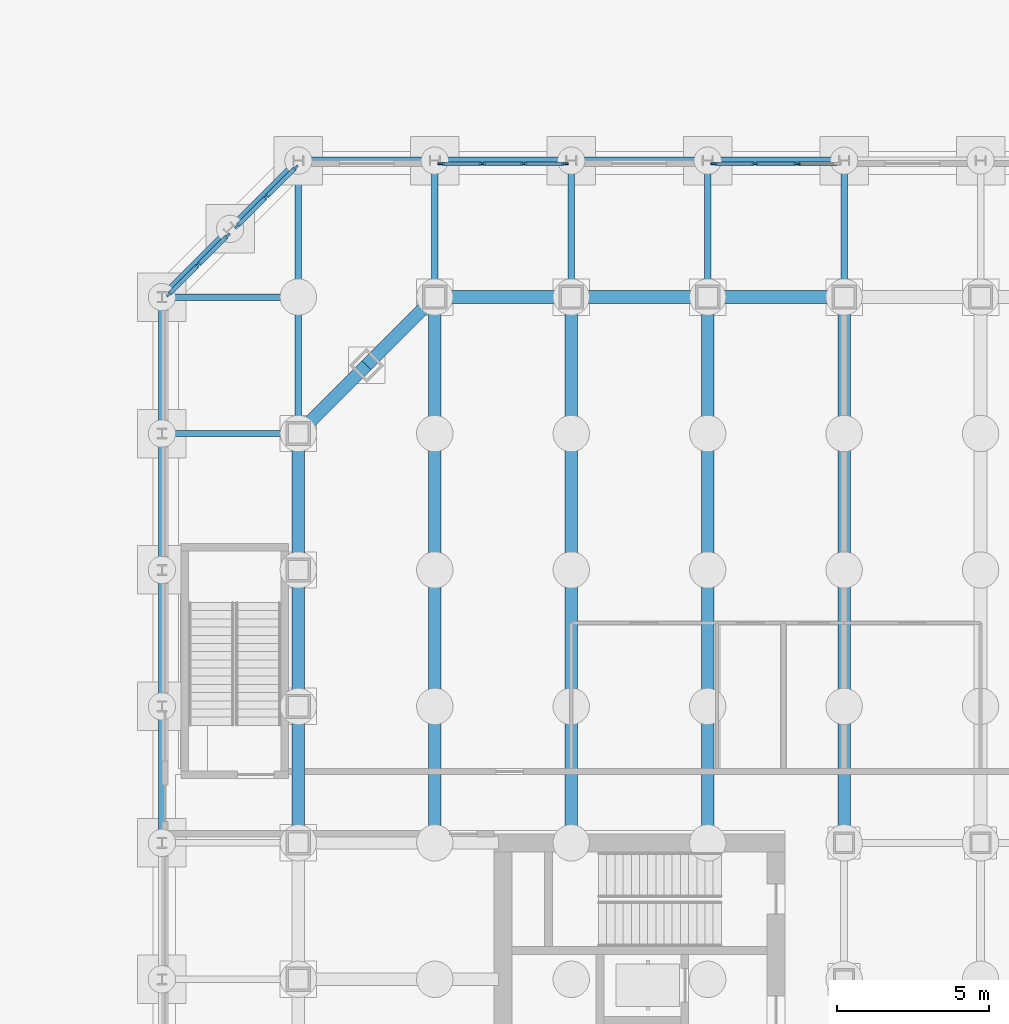
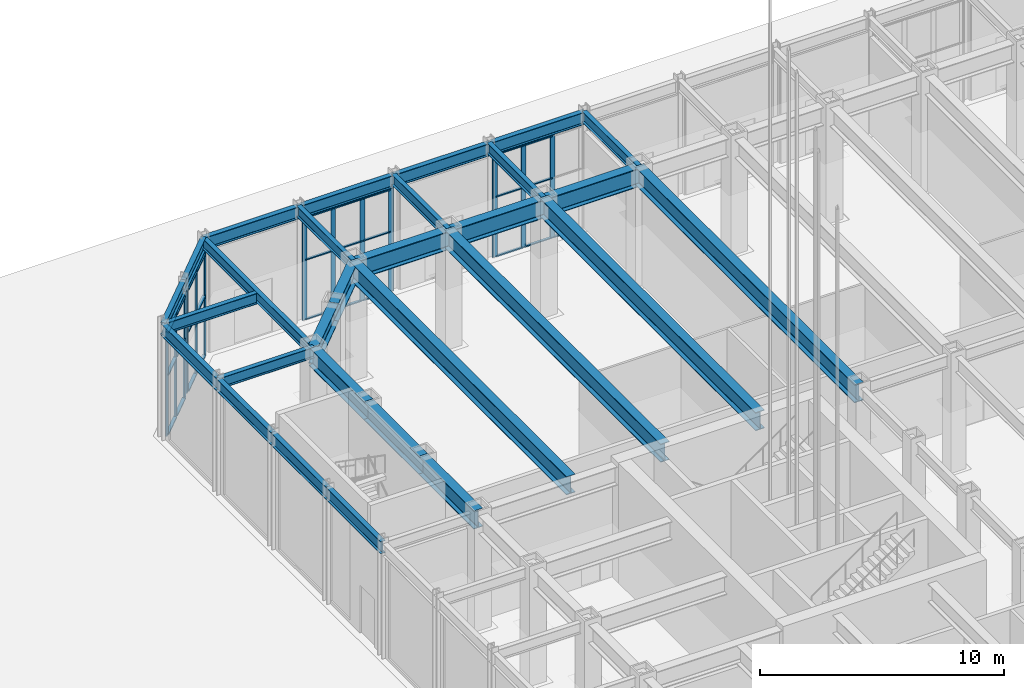
# One storey, part 9 of 39: 41 members, 29 beams, 4 elements without a shape of their own.
"""IFC4 building model written with IfcOpenShell, lengths in metres."""

from ifc_helpers import new_model, si_unit, direction, frame, origin, origin_2d, place, context, subcontext, project, spatial, rectangle, i_section, extrude, material, material_profile, profile_set, type_object, element, aggregate, save


model = new_model("IFC4")

# Units and contexts
model_context = context("Model", 3, precision=1e-05, world=origin(), true_north=direction((0.0, 1.0)))
body_context = subcontext(model_context, "Body", "Model", "MODEL_VIEW")
ifc_project = project(units=[si_unit("LENGTHUNIT", "METRE"), si_unit("AREAUNIT", "SQUARE_METRE"), si_unit("VOLUMEUNIT", "CUBIC_METRE"), si_unit("PLANEANGLEUNIT", "RADIAN"), si_unit("MASSUNIT", "GRAM", prefix="KILO")], contexts=[model_context])

# Site, building, storey
site_placement = place(None, origin())
site = spatial("IfcSite", under=ifc_project, at=site_placement, CompositionType="ELEMENT")
building_placement = place(site_placement, origin())
building = spatial("IfcBuilding", under=site, at=building_placement, Name="Msasa Ring Tower", CompositionType="ELEMENT")
storey_placement = place(building_placement, origin())
storey = spatial("IfcBuildingStorey", under=building, at=storey_placement, Name="L00", CompositionType="ELEMENT", Elevation=0.0)

# Curtain wall, members
ifc_material_1 = material(Name="Aluminium curtain wall with clear glass", Category="aluminium")
curtain_wall_type_1 = type_object("IfcCurtainWallType", Name="CW-F PLAZA SHOPFRONT CURTAIN WALL", PredefinedType="NOTDEFINED", material=ifc_material_1)
curtain_wall_1_placement = place(storey_placement, origin())
curtain_wall_1 = element("IfcCurtainWall", 1, at=curtain_wall_1_placement, inside=storey, type_object=curtain_wall_type_1, Name="Plaza shopfront curtain wall N L00 27", PredefinedType="NOTDEFINED")
ifc_material_2 = material(Name="Aluminium mullion", Category="aluminium")
ifc_material_profile_1 = material_profile(ifc_material_2, rectangle(XDim=0.054931640625, YDim=0.22509765625, at=origin_2d()), Name="AL 55x225")
ifc_profile_set_1 = profile_set([ifc_material_profile_1], Name="Aluminium mullion")
member_type_1 = type_object("IfcMemberType", Name="CW-F MULLION 55x225", PredefinedType="MULLION", material=ifc_profile_set_1)
member_1_placement = place(storey_placement, frame((-20.034912109375, 29.14990234375, 0.0), z_axis=(0.0, 0.0, 1.0), x_axis=(0.0, 1.0, 0.0)))
member_1 = element("IfcMember", 2, at=member_1_placement, type_object=member_type_1, Name="CW-F mullion 1", PredefinedType="MULLION", context=body_context, shape_type="SweptSolid", body=[
    extrude(rectangle(XDim=0.054931640625, YDim=0.22509765625, at=origin_2d()), origin(), (0.0, 0.0, 1.0), 5.1328125),
])
member_2_placement = place(storey_placement, frame((-18.6875, 29.14990234375, 0.0), z_axis=(0.0, 0.0, 1.0), x_axis=(0.0, 1.0, 0.0)))
member_2 = element("IfcMember", 3, at=member_2_placement, type_object=member_type_1, Name="CW-F mullion 2", PredefinedType="MULLION", context=body_context, shape_type="SweptSolid", body=[
    extrude(rectangle(XDim=0.054931640625, YDim=0.22509765625, at=origin_2d()), origin(), (0.0, 0.0, 1.0), 5.1328125),
])
member_3_placement = place(storey_placement, frame((-17.3125, 29.14990234375, 0.0), z_axis=(0.0, 0.0, 1.0), x_axis=(0.0, 1.0, 0.0)))
member_3 = element("IfcMember", 4, at=member_3_placement, type_object=member_type_1, Name="CW-F mullion 3", PredefinedType="MULLION", context=body_context, shape_type="SweptSolid", body=[
    extrude(rectangle(XDim=0.054931640625, YDim=0.22509765625, at=origin_2d()), origin(), (0.0, 0.0, 1.0), 5.1328125),
])
member_4_placement = place(storey_placement, frame((-15.965087890625, 29.14990234375, 0.0), z_axis=(0.0, 0.0, 1.0), x_axis=(0.0, 1.0, 0.0)))
member_4 = element("IfcMember", 5, at=member_4_placement, type_object=member_type_1, Name="CW-F mullion 4", PredefinedType="MULLION", context=body_context, shape_type="SweptSolid", body=[
    extrude(rectangle(XDim=0.054931640625, YDim=0.22509765625, at=origin_2d()), origin(), (0.0, 0.0, 1.0), 5.1328125),
])

curtain_wall_2_placement = place(storey_placement, origin())
curtain_wall_2 = element("IfcCurtainWall", 6, at=curtain_wall_2_placement, inside=storey, type_object=curtain_wall_type_1, Name="Plaza shopfront curtain wall N L00 29", PredefinedType="NOTDEFINED")
member_5_placement = place(storey_placement, frame((-11.034912109375, 29.14990234375, 0.0), z_axis=(0.0, 0.0, 1.0), x_axis=(0.0, 1.0, 0.0)))
member_5 = element("IfcMember", 7, at=member_5_placement, type_object=member_type_1, Name="CW-F mullion 1", PredefinedType="MULLION", context=body_context, shape_type="SweptSolid", body=[
    extrude(rectangle(XDim=0.054931640625, YDim=0.22509765625, at=origin_2d()), origin(), (0.0, 0.0, 1.0), 5.1328125),
])
member_6_placement = place(storey_placement, frame((-9.6875, 29.14990234375, 0.0), z_axis=(0.0, 0.0, 1.0), x_axis=(0.0, 1.0, 0.0)))
member_6 = element("IfcMember", 8, at=member_6_placement, type_object=member_type_1, Name="CW-F mullion 2", PredefinedType="MULLION", context=body_context, shape_type="SweptSolid", body=[
    extrude(rectangle(XDim=0.054931640625, YDim=0.22509765625, at=origin_2d()), origin(), (0.0, 0.0, 1.0), 5.1328125),
])
member_7_placement = place(storey_placement, frame((-8.3125, 29.14990234375, 0.0), z_axis=(0.0, 0.0, 1.0), x_axis=(0.0, 1.0, 0.0)))
member_7 = element("IfcMember", 9, at=member_7_placement, type_object=member_type_1, Name="CW-F mullion 3", PredefinedType="MULLION", context=body_context, shape_type="SweptSolid", body=[
    extrude(rectangle(XDim=0.054931640625, YDim=0.22509765625, at=origin_2d()), origin(), (0.0, 0.0, 1.0), 5.1328125),
])

# Member
ifc_material_3 = material(Name="Aluminium transom", Category="aluminium")
ifc_material_profile_2 = material_profile(ifc_material_3, rectangle(XDim=0.110107421875, YDim=0.054931640625, at=origin_2d()), Name="AL 55x110")
ifc_profile_set_2 = profile_set([ifc_material_profile_2], Name="Aluminium transom")
member_type_2 = type_object("IfcMemberType", Name="CW-F TRANSOM 55x110", PredefinedType="USERDEFINED", material=ifc_profile_set_2)
member_8_placement = place(storey_placement, frame((-20.00732421875, 29.14990234375, 0.027587890625), z_axis=(1.0, 0.0, 0.0), x_axis=(0.0, 1.0, 0.0)))
member_8 = element("IfcMember", 10, at=member_8_placement, type_object=member_type_2, Name="CW-F transom 1.1", ObjectType="TRANSOM", PredefinedType="USERDEFINED", context=body_context, shape_type="SweptSolid", body=[
    extrude(rectangle(XDim=0.110107421875, YDim=0.054931640625, at=origin_2d()), origin(), (0.0, 0.0, 1.0), 1.29248046875),
])

member_9_placement = place(storey_placement, frame((-20.00732421875, 29.14990234375, 3.0), z_axis=(1.0, 0.0, 0.0), x_axis=(0.0, 1.0, 0.0)))
member_9 = element("IfcMember", 11, at=member_9_placement, type_object=member_type_2, Name="CW-F transom 1.2", ObjectType="TRANSOM", PredefinedType="USERDEFINED", context=body_context, shape_type="SweptSolid", body=[
    extrude(rectangle(XDim=0.110107421875, YDim=0.054931640625, at=origin_2d()), origin(), (0.0, 0.0, 1.0), 1.29248046875),
])

member_10_placement = place(storey_placement, frame((-20.00732421875, 29.14990234375, 5.105224609375), z_axis=(1.0, 0.0, 0.0), x_axis=(0.0, 1.0, 0.0)))
member_10 = element("IfcMember", 12, at=member_10_placement, type_object=member_type_2, Name="CW-F transom 1.3", ObjectType="TRANSOM", PredefinedType="USERDEFINED", context=body_context, shape_type="SweptSolid", body=[
    extrude(rectangle(XDim=0.110107421875, YDim=0.054931640625, at=origin_2d()), origin(), (0.0, 0.0, 1.0), 1.29248046875),
])

member_11_placement = place(storey_placement, frame((-18.659912109375, 29.14990234375, 0.027587890625), z_axis=(1.0, 0.0, 0.0), x_axis=(0.0, 1.0, 0.0)))
member_11 = element("IfcMember", 13, at=member_11_placement, type_object=member_type_2, Name="CW-F transom 2.1", ObjectType="TRANSOM", PredefinedType="USERDEFINED", context=body_context, shape_type="SweptSolid", body=[
    extrude(rectangle(XDim=0.110107421875, YDim=0.054931640625, at=origin_2d()), origin(), (0.0, 0.0, 1.0), 1.31982421875),
])

member_12_placement = place(storey_placement, frame((-18.659912109375, 29.14990234375, 3.0), z_axis=(1.0, 0.0, 0.0), x_axis=(0.0, 1.0, 0.0)))
member_12 = element("IfcMember", 14, at=member_12_placement, type_object=member_type_2, Name="CW-F transom 2.2", ObjectType="TRANSOM", PredefinedType="USERDEFINED", context=body_context, shape_type="SweptSolid", body=[
    extrude(rectangle(XDim=0.110107421875, YDim=0.054931640625, at=origin_2d()), origin(), (0.0, 0.0, 1.0), 1.31982421875),
])

member_13_placement = place(storey_placement, frame((-18.659912109375, 29.14990234375, 5.105224609375), z_axis=(1.0, 0.0, 0.0), x_axis=(0.0, 1.0, 0.0)))
member_13 = element("IfcMember", 15, at=member_13_placement, type_object=member_type_2, Name="CW-F transom 2.3", ObjectType="TRANSOM", PredefinedType="USERDEFINED", context=body_context, shape_type="SweptSolid", body=[
    extrude(rectangle(XDim=0.110107421875, YDim=0.054931640625, at=origin_2d()), origin(), (0.0, 0.0, 1.0), 1.31982421875),
])

member_14_placement = place(storey_placement, frame((-17.284912109375, 29.14990234375, 0.027587890625), z_axis=(1.0, 0.0, 0.0), x_axis=(0.0, 1.0, 0.0)))
member_14 = element("IfcMember", 16, at=member_14_placement, type_object=member_type_2, Name="CW-F transom 3.1", ObjectType="TRANSOM", PredefinedType="USERDEFINED", context=body_context, shape_type="SweptSolid", body=[
    extrude(rectangle(XDim=0.110107421875, YDim=0.054931640625, at=origin_2d()), origin(), (0.0, 0.0, 1.0), 1.292236328125),
])

member_15_placement = place(storey_placement, frame((-17.284912109375, 29.14990234375, 3.0), z_axis=(1.0, 0.0, 0.0), x_axis=(0.0, 1.0, 0.0)))
member_15 = element("IfcMember", 17, at=member_15_placement, type_object=member_type_2, Name="CW-F transom 3.2", ObjectType="TRANSOM", PredefinedType="USERDEFINED", context=body_context, shape_type="SweptSolid", body=[
    extrude(rectangle(XDim=0.110107421875, YDim=0.054931640625, at=origin_2d()), origin(), (0.0, 0.0, 1.0), 1.292236328125),
])

member_16_placement = place(storey_placement, frame((-17.284912109375, 29.14990234375, 5.105224609375), z_axis=(1.0, 0.0, 0.0), x_axis=(0.0, 1.0, 0.0)))
member_16 = element("IfcMember", 18, at=member_16_placement, type_object=member_type_2, Name="CW-F transom 3.3", ObjectType="TRANSOM", PredefinedType="USERDEFINED", context=body_context, shape_type="SweptSolid", body=[
    extrude(rectangle(XDim=0.110107421875, YDim=0.054931640625, at=origin_2d()), origin(), (0.0, 0.0, 1.0), 1.292236328125),
])

aggregate(curtain_wall_1, [member_1, member_2, member_3, member_4, member_8, member_9, member_10, member_11, member_12, member_13, member_14, member_15, member_16])

member_17_placement = place(storey_placement, frame((-11.00732421875, 29.14990234375, 0.027587890625), z_axis=(1.0, 0.0, 0.0), x_axis=(0.0, 1.0, 0.0)))
member_17 = element("IfcMember", 19, at=member_17_placement, type_object=member_type_2, Name="CW-F transom 1.1", ObjectType="TRANSOM", PredefinedType="USERDEFINED", context=body_context, shape_type="SweptSolid", body=[
    extrude(rectangle(XDim=0.110107421875, YDim=0.054931640625, at=origin_2d()), origin(), (0.0, 0.0, 1.0), 1.292236328125),
])

member_18_placement = place(storey_placement, frame((-11.00732421875, 29.14990234375, 3.0), z_axis=(1.0, 0.0, 0.0), x_axis=(0.0, 1.0, 0.0)))
member_18 = element("IfcMember", 20, at=member_18_placement, type_object=member_type_2, Name="CW-F transom 1.2", ObjectType="TRANSOM", PredefinedType="USERDEFINED", context=body_context, shape_type="SweptSolid", body=[
    extrude(rectangle(XDim=0.110107421875, YDim=0.054931640625, at=origin_2d()), origin(), (0.0, 0.0, 1.0), 1.292236328125),
])

member_19_placement = place(storey_placement, frame((-11.00732421875, 29.14990234375, 5.105224609375), z_axis=(1.0, 0.0, 0.0), x_axis=(0.0, 1.0, 0.0)))
member_19 = element("IfcMember", 21, at=member_19_placement, type_object=member_type_2, Name="CW-F transom 1.3", ObjectType="TRANSOM", PredefinedType="USERDEFINED", context=body_context, shape_type="SweptSolid", body=[
    extrude(rectangle(XDim=0.110107421875, YDim=0.054931640625, at=origin_2d()), origin(), (0.0, 0.0, 1.0), 1.292236328125),
])

member_20_placement = place(storey_placement, frame((-9.659912109375, 29.14990234375, 0.027587890625), z_axis=(1.0, 0.0, 0.0), x_axis=(0.0, 1.0, 0.0)))
member_20 = element("IfcMember", 22, at=member_20_placement, type_object=member_type_2, Name="CW-F transom 2.1", ObjectType="TRANSOM", PredefinedType="USERDEFINED", context=body_context, shape_type="SweptSolid", body=[
    extrude(rectangle(XDim=0.110107421875, YDim=0.054931640625, at=origin_2d()), origin(), (0.0, 0.0, 1.0), 1.31982421875),
])

member_21_placement = place(storey_placement, frame((-9.659912109375, 29.14990234375, 3.0), z_axis=(1.0, 0.0, 0.0), x_axis=(0.0, 1.0, 0.0)))
member_21 = element("IfcMember", 23, at=member_21_placement, type_object=member_type_2, Name="CW-F transom 2.2", ObjectType="TRANSOM", PredefinedType="USERDEFINED", context=body_context, shape_type="SweptSolid", body=[
    extrude(rectangle(XDim=0.110107421875, YDim=0.054931640625, at=origin_2d()), origin(), (0.0, 0.0, 1.0), 1.31982421875),
])

member_22_placement = place(storey_placement, frame((-9.659912109375, 29.14990234375, 5.105224609375), z_axis=(1.0, 0.0, 0.0), x_axis=(0.0, 1.0, 0.0)))
member_22 = element("IfcMember", 24, at=member_22_placement, type_object=member_type_2, Name="CW-F transom 2.3", ObjectType="TRANSOM", PredefinedType="USERDEFINED", context=body_context, shape_type="SweptSolid", body=[
    extrude(rectangle(XDim=0.110107421875, YDim=0.054931640625, at=origin_2d()), origin(), (0.0, 0.0, 1.0), 1.31982421875),
])

member_23_placement = place(storey_placement, frame((-8.284912109375, 29.14990234375, 0.027587890625), z_axis=(1.0, 0.0, 0.0), x_axis=(0.0, 1.0, 0.0)))
member_23 = element("IfcMember", 25, at=member_23_placement, type_object=member_type_2, Name="CW-F transom 3.1", ObjectType="TRANSOM", PredefinedType="USERDEFINED", context=body_context, shape_type="SweptSolid", body=[
    extrude(rectangle(XDim=0.110107421875, YDim=0.054931640625, at=origin_2d()), origin(), (0.0, 0.0, 1.0), 1.292236328125),
])

aggregate(curtain_wall_2, [member_5, member_6, member_7, member_17, member_18, member_19, member_20, member_21, member_22, member_23])

# Curtain wall, members
ifc_material_4 = material(Name="Aluminium curtain wall with clear glass", Category="aluminium")
curtain_wall_type_2 = type_object("IfcCurtainWallType", Name="CW-K PODIUM CORNER CURTAIN WALL", PredefinedType="NOTDEFINED", material=ifc_material_4)
curtain_wall_3_placement = place(storey_placement, origin())
curtain_wall_3 = element("IfcCurtainWall", 26, at=curtain_wall_3_placement, inside=storey, type_object=curtain_wall_type_2, Name="Podium corner curtain wall NW L00", PredefinedType="NOTDEFINED")
ifc_material_5 = material(Name="Aluminium mullion", Category="aluminium")
ifc_material_profile_3 = material_profile(ifc_material_5, rectangle(XDim=0.070068359375, YDim=0.199951171875, at=origin_2d()), Name="AL 70x200")
ifc_profile_set_3 = profile_set([ifc_material_profile_3], Name="Aluminium mullion")
member_type_3 = type_object("IfcMemberType", Name="CW-K MULLION 70x200", PredefinedType="MULLION", material=ifc_profile_set_3)
member_24_placement = place(storey_placement, frame((-27.086669921875, 26.77197265625, 0.0), z_axis=(0.0, 0.0, 1.0), x_axis=(0.707106781187, -0.707106781187, 0.0)))
member_24 = element("IfcMember", 27, at=member_24_placement, type_object=member_type_3, Name="CW-K mullion 1", PredefinedType="MULLION", context=body_context, shape_type="SweptSolid", body=[
    extrude(rectangle(XDim=0.070068359375, YDim=0.199951171875, at=origin_2d()), origin(), (0.0, 0.0, 1.0), 5.1328125),
])
member_25_placement = place(storey_placement, frame((-28.05419921875, 25.80419921875, 0.0), z_axis=(0.0, 0.0, 1.0), x_axis=(0.707106781187, -0.707106781187, 0.0)))
member_25 = element("IfcMember", 28, at=member_25_placement, type_object=member_type_3, Name="CW-K mullion 2", PredefinedType="MULLION", context=body_context, shape_type="SweptSolid", body=[
    extrude(rectangle(XDim=0.070068359375, YDim=0.199951171875, at=origin_2d()), origin(), (0.0, 0.0, 1.0), 5.1328125),
])
member_26_placement = place(storey_placement, frame((-29.02197265625, 24.836669921875, 0.0), z_axis=(0.0, 0.0, 1.0), x_axis=(0.707106781187, -0.707106781187, 0.0)))
member_26 = element("IfcMember", 29, at=member_26_placement, type_object=member_type_3, Name="CW-K mullion 3", PredefinedType="MULLION", context=body_context, shape_type="SweptSolid", body=[
    extrude(rectangle(XDim=0.070068359375, YDim=0.199951171875, at=origin_2d()), origin(), (0.0, 0.0, 1.0), 5.1328125),
])

curtain_wall_4_placement = place(storey_placement, origin())
curtain_wall_4 = element("IfcCurtainWall", 30, at=curtain_wall_4_placement, inside=storey, type_object=curtain_wall_type_2, Name="Podium corner curtain wall NW L00", PredefinedType="NOTDEFINED")
member_27_placement = place(storey_placement, frame((-24.836669921875, 29.02197265625, 0.0), z_axis=(0.0, 0.0, 1.0), x_axis=(0.707106781187, -0.707106781187, 0.0)))
member_27 = element("IfcMember", 31, at=member_27_placement, type_object=member_type_3, Name="CW-K mullion 1", PredefinedType="MULLION", context=body_context, shape_type="SweptSolid", body=[
    extrude(rectangle(XDim=0.070068359375, YDim=0.199951171875, at=origin_2d()), origin(), (0.0, 0.0, 1.0), 5.1328125),
])
member_28_placement = place(storey_placement, frame((-25.80419921875, 28.05419921875, 0.0), z_axis=(0.0, 0.0, 1.0), x_axis=(0.707106781187, -0.707106781187, 0.0)))
member_28 = element("IfcMember", 32, at=member_28_placement, type_object=member_type_3, Name="CW-K mullion 2", PredefinedType="MULLION", context=body_context, shape_type="SweptSolid", body=[
    extrude(rectangle(XDim=0.070068359375, YDim=0.199951171875, at=origin_2d()), origin(), (0.0, 0.0, 1.0), 5.1328125),
])
member_29_placement = place(storey_placement, frame((-26.77197265625, 27.086669921875, 0.0), z_axis=(0.0, 0.0, 1.0), x_axis=(0.707106781187, -0.707106781187, 0.0)))
member_29 = element("IfcMember", 33, at=member_29_placement, type_object=member_type_3, Name="CW-K mullion 3", PredefinedType="MULLION", context=body_context, shape_type="SweptSolid", body=[
    extrude(rectangle(XDim=0.070068359375, YDim=0.199951171875, at=origin_2d()), origin(), (0.0, 0.0, 1.0), 5.1328125),
])

# Member
ifc_material_6 = material(Name="Aluminium transom", Category="aluminium")
ifc_material_profile_4 = material_profile(ifc_material_6, rectangle(XDim=0.14990234375, YDim=0.070068359375, at=origin_2d()), Name="AL 70x150")
ifc_profile_set_4 = profile_set([ifc_material_profile_4], Name="Aluminium transom")
member_type_4 = type_object("IfcMemberType", Name="CW-K TRANSOM 70x150", PredefinedType="USERDEFINED", material=ifc_profile_set_4)
member_30_placement = place(storey_placement, frame((-27.111572265625, 26.7470703125, 0.034912109375), z_axis=(-0.707106781187, -0.707106781187, 0.0), x_axis=(0.707106781187, -0.707106781187, 0.0)))
member_30 = element("IfcMember", 34, at=member_30_placement, type_object=member_type_4, Name="CW-K transom 1.1", ObjectType="TRANSOM", PredefinedType="USERDEFINED", context=body_context, shape_type="SweptSolid", body=[
    extrude(rectangle(XDim=0.14990234375, YDim=0.070068359375, at=origin_2d()), origin(), (0.0, 0.0, 1.0), 1.298095703125),
])

member_31_placement = place(storey_placement, frame((-27.111572265625, 26.7470703125, 3.0), z_axis=(-0.707106781187, -0.707106781187, 0.0), x_axis=(0.707106781187, -0.707106781187, 0.0)))
member_31 = element("IfcMember", 35, at=member_31_placement, type_object=member_type_4, Name="CW-K transom 1.2", ObjectType="TRANSOM", PredefinedType="USERDEFINED", context=body_context, shape_type="SweptSolid", body=[
    extrude(rectangle(XDim=0.14990234375, YDim=0.070068359375, at=origin_2d()), origin(), (0.0, 0.0, 1.0), 1.298095703125),
])

member_32_placement = place(storey_placement, frame((-27.111572265625, 26.7470703125, 5.097900390625), z_axis=(-0.707106781187, -0.707106781187, 0.0), x_axis=(0.707106781187, -0.707106781187, 0.0)))
member_32 = element("IfcMember", 36, at=member_32_placement, type_object=member_type_4, Name="CW-K transom 1.3", ObjectType="TRANSOM", PredefinedType="USERDEFINED", context=body_context, shape_type="SweptSolid", body=[
    extrude(rectangle(XDim=0.14990234375, YDim=0.070068359375, at=origin_2d()), origin(), (0.0, 0.0, 1.0), 1.298095703125),
])

member_33_placement = place(storey_placement, frame((-28.0791015625, 25.779541015625, 0.034912109375), z_axis=(-0.707106781187, -0.707106781187, 0.0), x_axis=(0.707106781187, -0.707106781187, 0.0)))
member_33 = element("IfcMember", 37, at=member_33_placement, type_object=member_type_4, Name="CW-K transom 2.1", ObjectType="TRANSOM", PredefinedType="USERDEFINED", context=body_context, shape_type="SweptSolid", body=[
    extrude(rectangle(XDim=0.14990234375, YDim=0.070068359375, at=origin_2d()), origin(), (0.0, 0.0, 1.0), 1.298095703125),
])

member_34_placement = place(storey_placement, frame((-28.0791015625, 25.779541015625, 3.0), z_axis=(-0.707106781187, -0.707106781187, 0.0), x_axis=(0.707106781187, -0.707106781187, 0.0)))
member_34 = element("IfcMember", 38, at=member_34_placement, type_object=member_type_4, Name="CW-K transom 2.2", ObjectType="TRANSOM", PredefinedType="USERDEFINED", context=body_context, shape_type="SweptSolid", body=[
    extrude(rectangle(XDim=0.14990234375, YDim=0.070068359375, at=origin_2d()), origin(), (0.0, 0.0, 1.0), 1.298095703125),
])

member_35_placement = place(storey_placement, frame((-28.0791015625, 25.779541015625, 5.097900390625), z_axis=(-0.707106781187, -0.707106781187, 0.0), x_axis=(0.707106781187, -0.707106781187, 0.0)))
member_35 = element("IfcMember", 39, at=member_35_placement, type_object=member_type_4, Name="CW-K transom 2.3", ObjectType="TRANSOM", PredefinedType="USERDEFINED", context=body_context, shape_type="SweptSolid", body=[
    extrude(rectangle(XDim=0.14990234375, YDim=0.070068359375, at=origin_2d()), origin(), (0.0, 0.0, 1.0), 1.298095703125),
])

aggregate(curtain_wall_3, [member_24, member_25, member_26, member_30, member_31, member_32, member_33, member_34, member_35])

member_36_placement = place(storey_placement, frame((-24.861572265625, 28.9970703125, 0.034912109375), z_axis=(-0.707106781187, -0.707106781187, 0.0), x_axis=(0.707106781187, -0.707106781187, 0.0)))
member_36 = element("IfcMember", 40, at=member_36_placement, type_object=member_type_4, Name="CW-K transom 1.1", ObjectType="TRANSOM", PredefinedType="USERDEFINED", context=body_context, shape_type="SweptSolid", body=[
    extrude(rectangle(XDim=0.14990234375, YDim=0.070068359375, at=origin_2d()), origin(), (0.0, 0.0, 1.0), 1.298095703125),
])

member_37_placement = place(storey_placement, frame((-24.861572265625, 28.9970703125, 3.0), z_axis=(-0.707106781187, -0.707106781187, 0.0), x_axis=(0.707106781187, -0.707106781187, 0.0)))
member_37 = element("IfcMember", 41, at=member_37_placement, type_object=member_type_4, Name="CW-K transom 1.2", ObjectType="TRANSOM", PredefinedType="USERDEFINED", context=body_context, shape_type="SweptSolid", body=[
    extrude(rectangle(XDim=0.14990234375, YDim=0.070068359375, at=origin_2d()), origin(), (0.0, 0.0, 1.0), 1.298095703125),
])

member_38_placement = place(storey_placement, frame((-24.861572265625, 28.9970703125, 5.097900390625), z_axis=(-0.707106781187, -0.707106781187, 0.0), x_axis=(0.707106781187, -0.707106781187, 0.0)))
member_38 = element("IfcMember", 42, at=member_38_placement, type_object=member_type_4, Name="CW-K transom 1.3", ObjectType="TRANSOM", PredefinedType="USERDEFINED", context=body_context, shape_type="SweptSolid", body=[
    extrude(rectangle(XDim=0.14990234375, YDim=0.070068359375, at=origin_2d()), origin(), (0.0, 0.0, 1.0), 1.298095703125),
])

member_39_placement = place(storey_placement, frame((-25.8291015625, 28.029541015625, 0.034912109375), z_axis=(-0.707106781187, -0.707106781187, 0.0), x_axis=(0.707106781187, -0.707106781187, 0.0)))
member_39 = element("IfcMember", 43, at=member_39_placement, type_object=member_type_4, Name="CW-K transom 2.1", ObjectType="TRANSOM", PredefinedType="USERDEFINED", context=body_context, shape_type="SweptSolid", body=[
    extrude(rectangle(XDim=0.14990234375, YDim=0.070068359375, at=origin_2d()), origin(), (0.0, 0.0, 1.0), 1.298095703125),
])

member_40_placement = place(storey_placement, frame((-25.8291015625, 28.029541015625, 3.0), z_axis=(-0.707106781187, -0.707106781187, 0.0), x_axis=(0.707106781187, -0.707106781187, 0.0)))
member_40 = element("IfcMember", 44, at=member_40_placement, type_object=member_type_4, Name="CW-K transom 2.2", ObjectType="TRANSOM", PredefinedType="USERDEFINED", context=body_context, shape_type="SweptSolid", body=[
    extrude(rectangle(XDim=0.14990234375, YDim=0.070068359375, at=origin_2d()), origin(), (0.0, 0.0, 1.0), 1.298095703125),
])

member_41_placement = place(storey_placement, frame((-25.8291015625, 28.029541015625, 5.097900390625), z_axis=(-0.707106781187, -0.707106781187, 0.0), x_axis=(0.707106781187, -0.707106781187, 0.0)))
member_41 = element("IfcMember", 45, at=member_41_placement, type_object=member_type_4, Name="CW-K transom 2.3", ObjectType="TRANSOM", PredefinedType="USERDEFINED", context=body_context, shape_type="SweptSolid", body=[
    extrude(rectangle(XDim=0.14990234375, YDim=0.070068359375, at=origin_2d()), origin(), (0.0, 0.0, 1.0), 1.298095703125),
])

aggregate(curtain_wall_4, [member_27, member_28, member_29, member_36, member_37, member_38, member_39, member_40, member_41])

# Beams
ifc_material_7 = material(Name="Steel S355", Category="steel")
ifc_material_profile_5 = material_profile(ifc_material_7, i_section(OverallWidth=0.41845703125, OverallDepth=0.911865234375, WebThickness=0.019287109375, FlangeThickness=0.031982421875, FilletRadius=0.024169921875, at=origin_2d()), Name="UB 914x419x343")
ifc_profile_set_5 = profile_set([ifc_material_profile_5], Name="Steel S355")
beam_type_1 = type_object("IfcBeamType", Name="FB1 UB 914x419x343", PredefinedType="BEAM", material=ifc_profile_set_5)
beam_1_placement = place(storey_placement, frame((-20.25, 24.75, 5.294189453125), z_axis=(0.0, -1.0, 0.0), x_axis=(1.0, 0.0, 0.0)))
element("IfcBeam", 46, at=beam_1_placement, inside=storey, type_object=beam_type_1, Name="Floor beam N-20.25 under L01", PredefinedType="BEAM", context=body_context, shape_type="SweptSolid", body=[
    extrude(i_section(OverallWidth=0.41845703125, OverallDepth=0.911865234375, WebThickness=0.019287109375, FlangeThickness=0.031982421875, FilletRadius=0.024169921875, at=origin_2d()), origin(), (0.0, 0.0, 1.0), 17.789794921875),
])
for number, where, z_axis, x_axis, name in (
    (47, (-15.75, 24.75, 5.294189453125), (0.0, -1.0, 0.0), (1.0, 0.0, 0.0), "Floor beam N-15.75 under L01"),
    (48, (-11.25, 24.75, 5.294189453125), (0.0, -1.0, 0.0), (1.0, 0.0, 0.0), "Floor beam N-11.25 under L01"),
):
    element("IfcBeam", number, at=place(storey_placement, frame(where, z_axis=z_axis, x_axis=x_axis)), inside=storey, type_object=beam_type_1, Name=name, PredefinedType="BEAM", context=body_context, shape_type="SweptSolid", body=[
        extrude(i_section(OverallWidth=0.41845703125, OverallDepth=0.911865234375, WebThickness=0.019287109375, FlangeThickness=0.031982421875, FilletRadius=0.024169921875, at=origin_2d()), origin(), (0.0, 0.0, 1.0), 17.699951171875),
    ])
beam_2_placement = place(storey_placement, frame((-6.75, 24.75, 5.294189453125), z_axis=(0.0, -1.0, 0.0), x_axis=(1.0, 0.0, 0.0)))
element("IfcBeam", 49, at=beam_2_placement, inside=storey, type_object=beam_type_1, Name="Floor beam N-6.75 under L01", PredefinedType="BEAM", context=body_context, shape_type="SweptSolid", body=[
    extrude(i_section(OverallWidth=0.41845703125, OverallDepth=0.911865234375, WebThickness=0.019287109375, FlangeThickness=0.031982421875, FilletRadius=0.024169921875, at=origin_2d()), origin(), (0.0, 0.0, 1.0), 18.0),
])
ifc_material_8 = material(Name="Steel S355", Category="steel")
ifc_material_profile_6 = material_profile(ifc_material_8, i_section(OverallWidth=0.2119140625, OverallDepth=0.54443359375, WebThickness=0.0126953125, FlangeThickness=0.021240234375, FilletRadius=0.0126953125, at=origin_2d()), Name="UB 533x210x122")
ifc_profile_set_6 = profile_set([ifc_material_profile_6], Name="Steel S355")
beam_type_2 = type_object("IfcBeamType", Name="PB1 UB 533x210x122", PredefinedType="BEAM", material=ifc_profile_set_6)
beam_3_placement = place(storey_placement, frame((-24.75, 29.25, 5.477783203125), z_axis=(0.0, -1.0, 0.0), x_axis=(1.0, 0.0, 0.0)))
element("IfcBeam", 50, at=beam_3_placement, inside=storey, type_object=beam_type_2, Name="Podium beam N-24.75 under L01", PredefinedType="BEAM", context=body_context, shape_type="SweptSolid", body=[
    extrude(i_section(OverallWidth=0.2119140625, OverallDepth=0.54443359375, WebThickness=0.0126953125, FlangeThickness=0.021240234375, FilletRadius=0.0126953125, at=origin_2d()), origin(), (0.0, 0.0, 1.0), 9.0),
])
for number, where, z_axis, x_axis, name in (
    (51, (-20.25, 29.25, 5.477783203125), (0.0, -1.0, 0.0), (1.0, 0.0, 0.0), "Podium beam N-20.25 under L01"),
    (52, (-15.75, 29.25, 5.477783203125), (0.0, -1.0, 0.0), (1.0, 0.0, 0.0), "Podium beam N-15.75 under L01"),
    (53, (-11.25, 29.25, 5.477783203125), (0.0, -1.0, 0.0), (1.0, 0.0, 0.0), "Podium beam N-11.25 under L01"),
    (54, (-6.75, 29.25, 5.477783203125), (0.0, -1.0, 0.0), (1.0, 0.0, 0.0), "Podium beam N-6.75 under L01"),
    (55, (-29.25, 20.25, 5.477783203125), (1.0, 0.0, 0.0), (0.0, 1.0, 0.0), "Podium beam W+20.25 under L01"),
):
    element("IfcBeam", number, at=place(storey_placement, frame(where, z_axis=z_axis, x_axis=x_axis)), inside=storey, type_object=beam_type_2, Name=name, PredefinedType="BEAM", context=body_context, shape_type="SweptSolid", body=[
        extrude(i_section(OverallWidth=0.2119140625, OverallDepth=0.54443359375, WebThickness=0.0126953125, FlangeThickness=0.021240234375, FilletRadius=0.0126953125, at=origin_2d()), origin(), (0.0, 0.0, 1.0), 4.5),
    ])
beam_4_placement = place(storey_placement, frame((-29.25, 24.75, 5.477783203125), z_axis=(1.0, 0.0, 0.0), x_axis=(0.0, 1.0, 0.0)))
element("IfcBeam", 56, at=beam_4_placement, inside=storey, type_object=beam_type_2, Name="Podium beam W+24.75 under L01", PredefinedType="BEAM", context=body_context, shape_type="SweptSolid", body=[
    extrude(i_section(OverallWidth=0.2119140625, OverallDepth=0.54443359375, WebThickness=0.0126953125, FlangeThickness=0.021240234375, FilletRadius=0.0126953125, at=origin_2d()), origin(), (0.0, 0.0, 1.0), 4.39404296875),
])
ifc_material_9 = material(Name="Steel S355", Category="steel")
ifc_material_profile_7 = material_profile(ifc_material_9, i_section(OverallWidth=0.42041015625, OverallDepth=0.9208984375, WebThickness=0.021484375, FlangeThickness=0.03662109375, FilletRadius=0.024169921875, at=origin_2d()), Name="UB 914x419x388")
ifc_profile_set_7 = profile_set([ifc_material_profile_7], Name="Steel S355")
beam_type_3 = type_object("IfcBeamType", Name="SB1 UB 914x419x388", PredefinedType="SPANDREL", material=ifc_profile_set_7)
for number, where, z_axis, x_axis, name in (
    (57, (-6.75, 24.75, 5.28955078125), (-1.0, 0.0, 0.0), (0.0, -1.0, 0.0), "Spandrel N-6.75 to N-11.25 under L01"),
    (58, (-11.25, 24.75, 5.28955078125), (-1.0, 0.0, 0.0), (0.0, -1.0, 0.0), "Spandrel N-11.25 to N-15.75 under L01"),
    (59, (-15.75, 24.75, 5.28955078125), (-1.0, 0.0, 0.0), (0.0, -1.0, 0.0), "Spandrel N-15.75 to N-20.25 under L01"),
):
    element("IfcBeam", number, at=place(storey_placement, frame(where, z_axis=z_axis, x_axis=x_axis)), inside=storey, type_object=beam_type_3, Name=name, PredefinedType="SPANDREL", context=body_context, shape_type="SweptSolid", body=[
        extrude(i_section(OverallWidth=0.42041015625, OverallDepth=0.9208984375, WebThickness=0.021484375, FlangeThickness=0.03662109375, FilletRadius=0.024169921875, at=origin_2d()), origin(), (0.0, 0.0, 1.0), 4.5),
    ])
for number, where, z_axis, x_axis, name in (
    (60, (-20.25, 24.75, 5.28955078125), (-0.707106781187, -0.707106781187, 0.0), (0.707106781187, -0.707106781187, 0.0), "Spandrel N-20.25 to NW under L01"),
    (61, (-22.5, 22.5, 5.28955078125), (-0.707106781187, -0.707106781187, 0.0), (0.707106781187, -0.707106781187, 0.0), "Spandrel NW to W+20.25 under L01"),
):
    element("IfcBeam", number, at=place(storey_placement, frame(where, z_axis=z_axis, x_axis=x_axis)), inside=storey, type_object=beam_type_3, Name=name, PredefinedType="SPANDREL", context=body_context, shape_type="SweptSolid", body=[
        extrude(i_section(OverallWidth=0.42041015625, OverallDepth=0.9208984375, WebThickness=0.021484375, FlangeThickness=0.03662109375, FilletRadius=0.024169921875, at=origin_2d()), origin(), (0.0, 0.0, 1.0), 3.181884765625),
    ])
for number, where, z_axis, x_axis, name in (
    (62, (-24.75, 20.25, 5.28955078125), (0.0, -1.0, 0.0), (1.0, 0.0, 0.0), "Spandrel W+20.25 to W+15.75 under L01"),
    (63, (-24.75, 15.75, 5.28955078125), (0.0, -1.0, 0.0), (1.0, 0.0, 0.0), "Spandrel W+15.75 to W+11.25 under L01"),
    (64, (-24.75, 11.25, 5.28955078125), (0.0, -1.0, 0.0), (1.0, 0.0, 0.0), "Spandrel W+11.25 to W+6.75 under L01"),
):
    element("IfcBeam", number, at=place(storey_placement, frame(where, z_axis=z_axis, x_axis=x_axis)), inside=storey, type_object=beam_type_3, Name=name, PredefinedType="SPANDREL", context=body_context, shape_type="SweptSolid", body=[
        extrude(i_section(OverallWidth=0.42041015625, OverallDepth=0.9208984375, WebThickness=0.021484375, FlangeThickness=0.03662109375, FilletRadius=0.024169921875, at=origin_2d()), origin(), (0.0, 0.0, 1.0), 4.5),
    ])
ifc_material_10 = material(Name="Steel S355", Category="steel")
ifc_material_profile_8 = material_profile(ifc_material_10, i_section(OverallWidth=0.230224609375, OverallDepth=0.6171875, WebThickness=0.01318359375, FlangeThickness=0.022216796875, FilletRadius=0.0126953125, at=origin_2d()), Name="UB 610x229x140")
ifc_profile_set_8 = profile_set([ifc_material_profile_8], Name="Steel S355")
beam_type_4 = type_object("IfcBeamType", Name="SB2 UB 610x229x140", PredefinedType="SPANDREL", material=ifc_profile_set_8)
for number, where, z_axis, x_axis, name in (
    (65, (-6.75, 29.25, 5.44140625), (-1.0, 0.0, 0.0), (0.0, -1.0, 0.0), "Podium spandrel N-6.75 under L01"),
    (66, (-11.25, 29.25, 5.44140625), (-1.0, 0.0, 0.0), (0.0, -1.0, 0.0), "Podium spandrel N-11.25 under L01"),
    (67, (-15.75, 29.25, 5.44140625), (-1.0, 0.0, 0.0), (0.0, -1.0, 0.0), "Podium spandrel N-15.75 under L01"),
    (68, (-20.25, 29.25, 5.44140625), (-1.0, 0.0, 0.0), (0.0, -1.0, 0.0), "Podium spandrel N-20.25 under L01"),
):
    element("IfcBeam", number, at=place(storey_placement, frame(where, z_axis=z_axis, x_axis=x_axis)), inside=storey, type_object=beam_type_4, Name=name, PredefinedType="SPANDREL", context=body_context, shape_type="SweptSolid", body=[
        extrude(i_section(OverallWidth=0.230224609375, OverallDepth=0.6171875, WebThickness=0.01318359375, FlangeThickness=0.022216796875, FilletRadius=0.0126953125, at=origin_2d()), origin(), (0.0, 0.0, 1.0), 4.5),
    ])
for number, where, z_axis, x_axis, name in (
    (69, (-24.75, 29.25, 5.44140625), (-0.707106781187, -0.707106781187, 0.0), (0.707106781187, -0.707106781187, 0.0), "Podium spandrel N-24.75 under L01"),
    (70, (-27.0, 27.0, 5.44140625), (-0.707106781187, -0.707106781187, 0.0), (0.707106781187, -0.707106781187, 0.0), "Podium spandrel NW under L01"),
):
    element("IfcBeam", number, at=place(storey_placement, frame(where, z_axis=z_axis, x_axis=x_axis)), inside=storey, type_object=beam_type_4, Name=name, PredefinedType="SPANDREL", context=body_context, shape_type="SweptSolid", body=[
        extrude(i_section(OverallWidth=0.230224609375, OverallDepth=0.6171875, WebThickness=0.01318359375, FlangeThickness=0.022216796875, FilletRadius=0.0126953125, at=origin_2d()), origin(), (0.0, 0.0, 1.0), 3.181884765625),
    ])
for number, where, z_axis, x_axis, name in (
    (71, (-29.25, 24.75, 5.44140625), (0.0, -1.0, 0.0), (1.0, 0.0, 0.0), "Podium spandrel W+24.75 under L01"),
    (72, (-29.25, 20.25, 5.44140625), (0.0, -1.0, 0.0), (1.0, 0.0, 0.0), "Podium spandrel W+20.25 under L01"),
    (73, (-29.25, 15.75, 5.44140625), (0.0, -1.0, 0.0), (1.0, 0.0, 0.0), "Podium spandrel W+15.75 under L01"),
    (74, (-29.25, 11.25, 5.44140625), (0.0, -1.0, 0.0), (1.0, 0.0, 0.0), "Podium spandrel W+11.25 under L01"),
):
    element("IfcBeam", number, at=place(storey_placement, frame(where, z_axis=z_axis, x_axis=x_axis)), inside=storey, type_object=beam_type_4, Name=name, PredefinedType="SPANDREL", context=body_context, shape_type="SweptSolid", body=[
        extrude(i_section(OverallWidth=0.230224609375, OverallDepth=0.6171875, WebThickness=0.01318359375, FlangeThickness=0.022216796875, FilletRadius=0.0126953125, at=origin_2d()), origin(), (0.0, 0.0, 1.0), 4.5),
    ])

save(model, "model.ifc")
